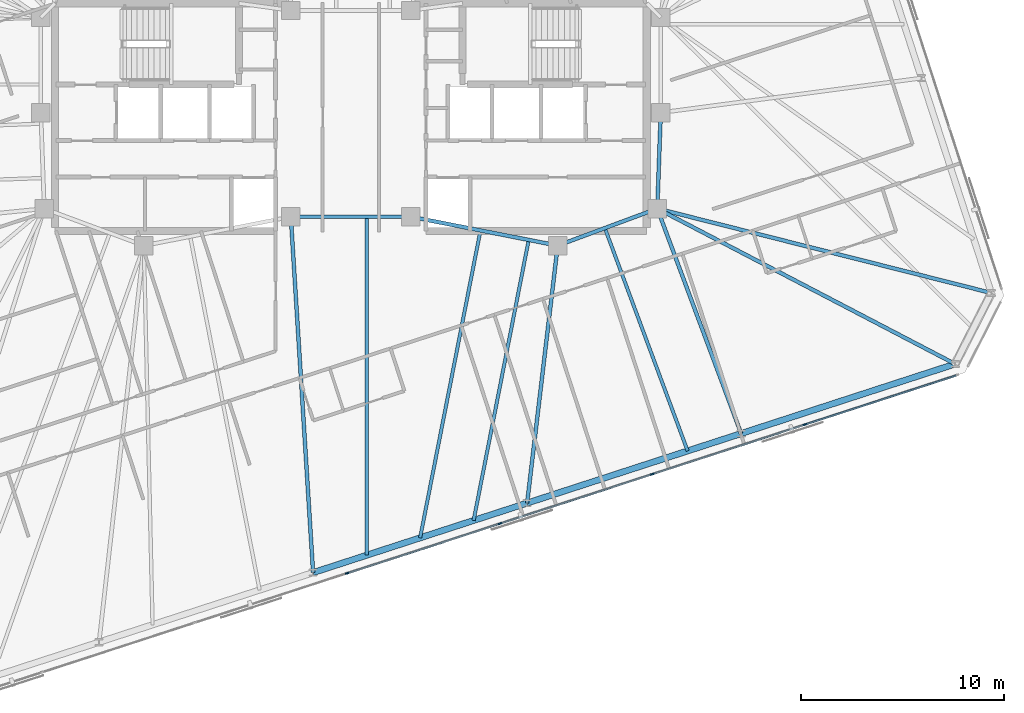
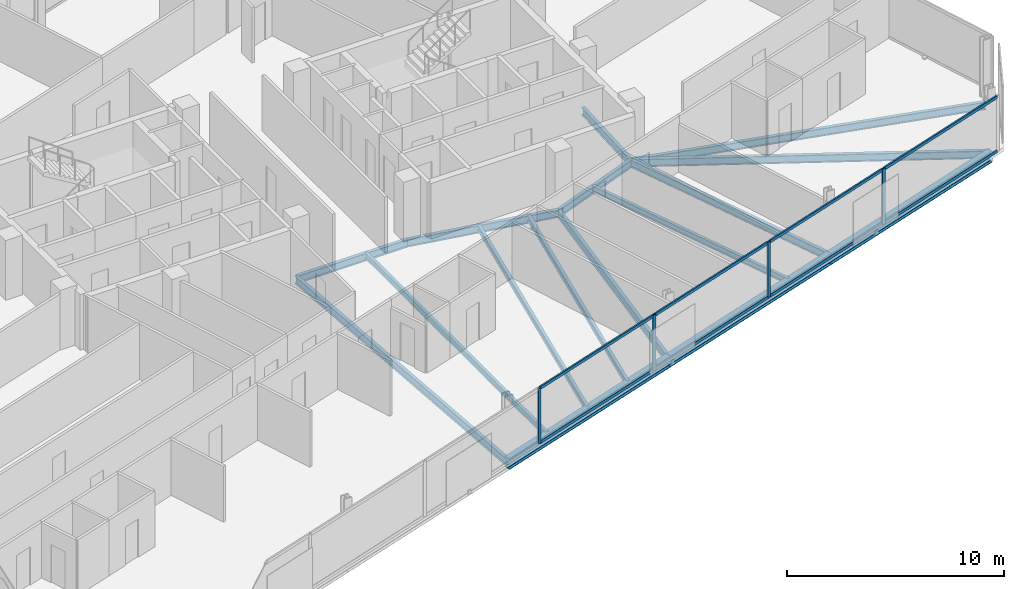
# One storey, part 7 of 19: 16 beams, 12 members, 1 element without a shape of its own.
"""IFC4 building model written with IfcOpenShell, lengths in metres."""

from ifc_helpers import new_model, si_unit, direction, frame, origin, origin_2d, place, context, subcontext, project, spatial, rectangle, i_section, extrude, material, material_profile, profile_set, type_object, element, aggregate, save


model = new_model("IFC4")

# Units and contexts
model_context = context("Model", 3, precision=1e-05, world=origin(), true_north=direction((0.0, 1.0)))
body_context = subcontext(model_context, "Body", "Model", "MODEL_VIEW")
ifc_project = project(units=[si_unit("LENGTHUNIT", "METRE"), si_unit("AREAUNIT", "SQUARE_METRE"), si_unit("VOLUMEUNIT", "CUBIC_METRE"), si_unit("PLANEANGLEUNIT", "RADIAN"), si_unit("MASSUNIT", "GRAM", prefix="KILO")], contexts=[model_context])

# Site, building, storey
site_placement = place(None, origin())
site = spatial("IfcSite", under=ifc_project, at=site_placement, CompositionType="ELEMENT")
building_placement = place(site_placement, origin())
building = spatial("IfcBuilding", under=site, at=building_placement, Name="Menara Jurai Vektor", CompositionType="ELEMENT")
storey_placement = place(building_placement, frame((0.0, 0.0, 234.35009765625)))
storey = spatial("IfcBuildingStorey", under=building, at=storey_placement, Name="L62", CompositionType="ELEMENT", Elevation=234.35009765625)

# Curtain wall, members
ifc_material_1 = material(Name="Anodised Pale Aluminium & Low-E Double Glazing", Category="aluminium")
curtain_wall_type = type_object("IfcCurtainWallType", Name="CW-BLK4", PredefinedType="NOTDEFINED", material=ifc_material_1)
curtain_wall_placement = place(storey_placement, origin())
curtain_wall = element("IfcCurtainWall", 1, at=curtain_wall_placement, inside=storey, type_object=curtain_wall_type, Name="Unitised Curtain Wall L62 F01", PredefinedType="NOTDEFINED")
ifc_material_2 = material(Name="Anodised Pale Aluminium Mullion", Category="aluminium")
ifc_material_profile_1 = material_profile(ifc_material_2, rectangle(XDim=0.080078125, YDim=0.18994140625, at=origin_2d()), Name="ALU MUL 80x190")
ifc_profile_set_1 = profile_set([ifc_material_profile_1], Name="Anodised Pale Aluminium Mullion")
member_type_1 = type_object("IfcMemberType", Name="CW-BLK4-MUL", PredefinedType="MULLION", material=ifc_profile_set_1)
member_1_placement = place(storey_placement, frame((-0.17236328125, -22.4404296875, 0.0), z_axis=(0.0, 0.0, 1.0), x_axis=(-0.309017344167, 0.951056402641, 0.0)))
member_1 = element("IfcMember", 2, at=member_1_placement, type_object=member_type_1, Name="CW-04 mullion 4", PredefinedType="MULLION", context=body_context, shape_type="SweptSolid", body=[
    extrude(rectangle(XDim=0.080078125, YDim=0.18994140625, at=origin_2d()), origin(), (0.0, 0.0, 1.0), 3.125),
])
member_2_placement = place(storey_placement, frame((7.3330078125, -20.001953125, 0.0), z_axis=(0.0, 0.0, 1.0), x_axis=(-0.309017344167, 0.951056402641, 0.0)))
member_2 = element("IfcMember", 3, at=member_2_placement, type_object=member_type_1, Name="CW-04 mullion 5", PredefinedType="MULLION", context=body_context, shape_type="SweptSolid", body=[
    extrude(rectangle(XDim=0.080078125, YDim=0.18994140625, at=origin_2d()), origin(), (0.0, 0.0, 1.0), 3.125),
])
member_3_placement = place(storey_placement, frame((14.838134765625, -17.563232421875, 0.0), z_axis=(0.0, 0.0, 1.0), x_axis=(-0.309017344167, 0.951056402641, 0.0)))
member_3 = element("IfcMember", 4, at=member_3_placement, type_object=member_type_1, Name="CW-04 mullion 6", PredefinedType="MULLION", context=body_context, shape_type="SweptSolid", body=[
    extrude(rectangle(XDim=0.080078125, YDim=0.18994140625, at=origin_2d()), origin(), (0.0, 0.0, 1.0), 3.125),
])
member_4_placement = place(storey_placement, frame((22.34326171875, -15.124755859375, 0.0), z_axis=(0.0, 0.0, 1.0), x_axis=(-0.309017344167, 0.951056402641, 0.0)))
member_4 = element("IfcMember", 5, at=member_4_placement, type_object=member_type_1, Name="CW-04 mullion 7", PredefinedType="MULLION", context=body_context, shape_type="SweptSolid", body=[
    extrude(rectangle(XDim=0.080078125, YDim=0.18994140625, at=origin_2d()), origin(), (0.0, 0.0, 1.0), 3.125),
])
ifc_material_3 = material(Name="Anodised Pale Aluminium Transom", Category="aluminium")
ifc_material_profile_2 = material_profile(ifc_material_3, rectangle(XDim=0.080078125, YDim=0.1650390625, at=origin_2d()), Name="ALU TRN 80x165")
ifc_profile_set_2 = profile_set([ifc_material_profile_2], Name="Anodised Pale Aluminium Transom")
member_type_2 = type_object("IfcMemberType", Name="CW-BLK4-TRN", PredefinedType="USERDEFINED", material=ifc_profile_set_2)
member_5_placement = place(storey_placement, frame((-0.13427734375, -22.427978515625, 0.039794921875), z_axis=(0.951059330237, 0.309008333817, 0.0), x_axis=(-0.309008333817, 0.951059330237, 0.0)))
member_5 = element("IfcMember", 6, at=member_5_placement, type_object=member_type_2, Name="CW-04 transom 4.1", ObjectType="TRANSOM", PredefinedType="USERDEFINED", context=body_context, shape_type="SweptSolid", body=[
    extrude(rectangle(XDim=0.080078125, YDim=0.1650390625, at=origin_2d()), origin(), (0.0, 0.0, 1.0), 7.8115234375),
])
member_6_placement = place(storey_placement, frame((-0.13427734375, -22.427978515625, 3.0849609375), z_axis=(0.951059330237, 0.309008333817, 0.0), x_axis=(-0.309008333817, 0.951059330237, 0.0)))
member_6 = element("IfcMember", 7, at=member_6_placement, type_object=member_type_2, Name="CW-04 transom 4.2", ObjectType="TRANSOM", PredefinedType="USERDEFINED", context=body_context, shape_type="SweptSolid", body=[
    extrude(rectangle(XDim=0.080078125, YDim=0.1650390625, at=origin_2d()), origin(), (0.0, 0.0, 1.0), 7.8115234375),
])
member_7_placement = place(storey_placement, frame((7.37109375, -19.989501953125, 0.039794921875), z_axis=(0.95105634578, 0.309017519167, 0.0), x_axis=(-0.309017519167, 0.95105634578, 0.0)))
member_7 = element("IfcMember", 8, at=member_7_placement, type_object=member_type_2, Name="CW-04 transom 5.1", ObjectType="TRANSOM", PredefinedType="USERDEFINED", context=body_context, shape_type="SweptSolid", body=[
    extrude(rectangle(XDim=0.080078125, YDim=0.1650390625, at=origin_2d()), origin(), (0.0, 0.0, 1.0), 7.811279296875),
])
member_8_placement = place(storey_placement, frame((7.37109375, -19.989501953125, 3.0849609375), z_axis=(0.95105634578, 0.309017519167, 0.0), x_axis=(-0.309017519167, 0.95105634578, 0.0)))
member_8 = element("IfcMember", 9, at=member_8_placement, type_object=member_type_2, Name="CW-04 transom 5.2", ObjectType="TRANSOM", PredefinedType="USERDEFINED", context=body_context, shape_type="SweptSolid", body=[
    extrude(rectangle(XDim=0.080078125, YDim=0.1650390625, at=origin_2d()), origin(), (0.0, 0.0, 1.0), 7.811279296875),
])
member_9_placement = place(storey_placement, frame((14.876220703125, -17.551025390625, 0.039794921875), z_axis=(0.95104715984, 0.309045789099, 0.0), x_axis=(-0.309045789099, 0.95104715984, 0.0)))
member_9 = element("IfcMember", 10, at=member_9_placement, type_object=member_type_2, Name="CW-04 transom 6.1", ObjectType="TRANSOM", PredefinedType="USERDEFINED", context=body_context, shape_type="SweptSolid", body=[
    extrude(rectangle(XDim=0.080078125, YDim=0.1650390625, at=origin_2d()), origin(), (0.0, 0.0, 1.0), 7.811279296875),
])
member_10_placement = place(storey_placement, frame((14.876220703125, -17.551025390625, 3.0849609375), z_axis=(0.95104715984, 0.309045789099, 0.0), x_axis=(-0.309045789099, 0.95104715984, 0.0)))
member_10 = element("IfcMember", 11, at=member_10_placement, type_object=member_type_2, Name="CW-04 transom 6.2", ObjectType="TRANSOM", PredefinedType="USERDEFINED", context=body_context, shape_type="SweptSolid", body=[
    extrude(rectangle(XDim=0.080078125, YDim=0.1650390625, at=origin_2d()), origin(), (0.0, 0.0, 1.0), 7.811279296875),
])
member_11_placement = place(storey_placement, frame((22.38134765625, -15.1123046875, 0.039794921875), z_axis=(0.951062230089, 0.308999408573, 0.0), x_axis=(-0.308999408573, 0.951062230089, 0.0)))
member_11 = element("IfcMember", 12, at=member_11_placement, type_object=member_type_2, Name="CW-04 transom 7.1", ObjectType="TRANSOM", PredefinedType="USERDEFINED", context=body_context, shape_type="SweptSolid", body=[
    extrude(rectangle(XDim=0.080078125, YDim=0.1650390625, at=origin_2d()), origin(), (0.0, 0.0, 1.0), 7.771484375),
])
member_12_placement = place(storey_placement, frame((22.38134765625, -15.1123046875, 3.0849609375), z_axis=(0.951062230089, 0.308999408573, 0.0), x_axis=(-0.308999408573, 0.951062230089, 0.0)))
member_12 = element("IfcMember", 13, at=member_12_placement, type_object=member_type_2, Name="CW-04 transom 7.2", ObjectType="TRANSOM", PredefinedType="USERDEFINED", context=body_context, shape_type="SweptSolid", body=[
    extrude(rectangle(XDim=0.080078125, YDim=0.1650390625, at=origin_2d()), origin(), (0.0, 0.0, 1.0), 7.771484375),
])
aggregate(curtain_wall, [member_1, member_2, member_3, member_4, member_5, member_6, member_7, member_8, member_9, member_10, member_11, member_12])

# Beams
ifc_material_4 = material(Name="Steel S355", Category="steel")
ifc_material_profile_3 = material_profile(ifc_material_4, i_section(OverallWidth=0.18505859375, OverallDepth=0.429931640625, WebThickness=0.010986328125, FlangeThickness=0.01806640625, at=origin_2d()), Name="PG 430x185x76")
ifc_profile_set_3 = profile_set([ifc_material_profile_3], Name="Steel S355")
beam_type_1 = type_object("IfcBeamType", Name="STR-BM-430", PredefinedType="BEAM", material=ifc_profile_set_3)
beam_1_placement = place(storey_placement, frame((15.080078125, -4.5, -0.440185546875), z_axis=(0.035977314146, 0.999352606874, 0.0), x_axis=(-0.999352606874, 0.035977314146, 0.0)))
element("IfcBeam", 14, at=beam_1_placement, inside=storey, type_object=beam_type_1, Name="Core Ring Header Girder L62-CHE-E2", PredefinedType="BEAM", context=body_context, shape_type="SweptSolid", body=[
    extrude(i_section(OverallWidth=0.18505859375, OverallDepth=0.429931640625, WebThickness=0.010986328125, FlangeThickness=0.01806640625, at=origin_2d()), origin(), (0.0, 0.0, 1.0), 4.72314453125),
])
beam_2_placement = place(storey_placement, frame((10.179931640625, -6.320068359375, -0.440185546875), z_axis=(0.937424400887, 0.348188874925, 0.0), x_axis=(-0.348188874925, 0.937424400887, 0.0)))
element("IfcBeam", 15, at=beam_2_placement, inside=storey, type_object=beam_type_1, Name="Core Ring Header Girder L62-CHE-S1", PredefinedType="BEAM", context=body_context, shape_type="SweptSolid", body=[
    extrude(i_section(OverallWidth=0.18505859375, OverallDepth=0.429931640625, WebThickness=0.010986328125, FlangeThickness=0.01806640625, at=origin_2d()), origin(), (0.0, 0.0, 1.0), 5.227294921875),
])
beam_3_placement = place(storey_placement, frame((2.949951171875, -4.89990234375, -0.440185546875), z_axis=(0.981249044334, -0.192744164614, 0.0), x_axis=(0.192744164614, 0.981249044334, 0.0)))
element("IfcBeam", 16, at=beam_3_placement, inside=storey, type_object=beam_type_1, Name="Core Ring Header Girder L62-CHE-S2", PredefinedType="BEAM", context=body_context, shape_type="SweptSolid", body=[
    extrude(i_section(OverallWidth=0.18505859375, OverallDepth=0.429931640625, WebThickness=0.010986328125, FlangeThickness=0.01806640625, at=origin_2d()), origin(), (0.0, 0.0, 1.0), 7.3681640625),
])
beam_4_placement = place(storey_placement, frame((-2.949951171875, -4.89990234375, -0.440185546875), z_axis=(1.0, 0.0, 0.0), x_axis=(0.0, 1.0, 0.0)))
element("IfcBeam", 17, at=beam_4_placement, inside=storey, type_object=beam_type_1, Name="Core Ring Header Girder L62-CC-1", PredefinedType="BEAM", context=body_context, shape_type="SweptSolid", body=[
    extrude(i_section(OverallWidth=0.18505859375, OverallDepth=0.429931640625, WebThickness=0.010986328125, FlangeThickness=0.01806640625, at=origin_2d()), origin(), (0.0, 0.0, 1.0), 5.89990234375),
])
beam_5_placement = place(storey_placement, frame((-1.854248046875, -22.40869140625, -0.440185546875), z_axis=(-0.062457995419, 0.998047593458, 0.0), x_axis=(-0.998047593458, -0.062457995419, 0.0)))
element("IfcBeam", 18, at=beam_5_placement, inside=storey, type_object=beam_type_1, Name="Radial Floor Girder L62-S3", PredefinedType="BEAM", context=body_context, shape_type="SweptSolid", body=[
    extrude(i_section(OverallWidth=0.18505859375, OverallDepth=0.429931640625, WebThickness=0.010986328125, FlangeThickness=0.01806640625, at=origin_2d()), origin(), (0.0, 0.0, 1.0), 17.54296875),
])
beam_6_placement = place(storey_placement, frame((8.675048828125, -18.987548828125, -0.440185546875), z_axis=(0.117969360513, 0.99301723549, 0.0), x_axis=(-0.99301723549, 0.117969360513, 0.0)))
element("IfcBeam", 19, at=beam_6_placement, inside=storey, type_object=beam_type_1, Name="Radial Floor Girder L62-S4", PredefinedType="BEAM", context=body_context, shape_type="SweptSolid", body=[
    extrude(i_section(OverallWidth=0.18505859375, OverallDepth=0.429931640625, WebThickness=0.010986328125, FlangeThickness=0.01806640625, at=origin_2d()), origin(), (0.0, 0.0, 1.0), 12.756591796875),
])
beam_7_placement = place(storey_placement, frame((19.204345703125, -15.56640625, -0.440185546875), z_axis=(-0.349219718154, 0.93704086808, 0.0), x_axis=(-0.93704086808, -0.349219718154, 0.0)))
element("IfcBeam", 20, at=beam_7_placement, inside=storey, type_object=beam_type_1, Name="Radial Floor Girder L62-S5", PredefinedType="BEAM", context=body_context, shape_type="SweptSolid", body=[
    extrude(i_section(OverallWidth=0.18505859375, OverallDepth=0.429931640625, WebThickness=0.010986328125, FlangeThickness=0.01806640625, at=origin_2d()), origin(), (0.0, 0.0, 1.0), 11.81005859375),
])
beam_8_placement = place(storey_placement, frame((29.7333984375, -12.14501953125, -0.440185546875), z_axis=(-0.886589587068, 0.462556919851, 0.0), x_axis=(-0.462556919851, -0.886589587068, 0.0)))
element("IfcBeam", 21, at=beam_8_placement, inside=storey, type_object=beam_type_1, Name="Radial Floor Girder L62-S6", PredefinedType="BEAM", context=body_context, shape_type="SweptSolid", body=[
    extrude(i_section(OverallWidth=0.18505859375, OverallDepth=0.429931640625, WebThickness=0.010986328125, FlangeThickness=0.01806640625, at=origin_2d()), origin(), (0.0, 0.0, 1.0), 16.52783203125),
])
beam_9_placement = place(storey_placement, frame((31.513427734375, -8.652099609375, -0.440185546875), z_axis=(-0.969531956771, 0.244964864418, 0.0), x_axis=(-0.244964864418, -0.969531956771, 0.0)))
element("IfcBeam", 22, at=beam_9_placement, inside=storey, type_object=beam_type_1, Name="Radial Floor Girder L62-E1", PredefinedType="BEAM", context=body_context, shape_type="SweptSolid", body=[
    extrude(i_section(OverallWidth=0.18505859375, OverallDepth=0.429931640625, WebThickness=0.010986328125, FlangeThickness=0.01806640625, at=origin_2d()), origin(), (0.0, 0.0, 1.0), 16.94970703125),
])
ifc_material_profile_4 = material_profile(ifc_material_4, i_section(OverallWidth=0.1650390625, OverallDepth=0.330078125, WebThickness=0.009033203125, FlangeThickness=0.013916015625, at=origin_2d()), Name="PG 330x165x46")
ifc_profile_set_4 = profile_set([ifc_material_profile_4], Name="Steel S355")
beam_type_2 = type_object("IfcBeamType", Name="STR-JS-330", PredefinedType="JOIST", material=ifc_profile_set_4)
beam_10_placement = place(storey_placement, frame((0.778076171875, -21.55322265625, -0.39013671875), z_axis=(0.0, 1.0, 0.0), x_axis=(-1.0, 0.0, 0.0)))
element("IfcBeam", 23, at=beam_10_placement, inside=storey, type_object=beam_type_2, Name="Radial Secondary Floor Joist L62-JS05", PredefinedType="JOIST", context=body_context, shape_type="SweptSolid", body=[
    extrude(i_section(OverallWidth=0.1650390625, OverallDepth=0.330078125, WebThickness=0.009033203125, FlangeThickness=0.013916015625, at=origin_2d()), origin(), (0.0, 0.0, 1.0), 16.6533203125),
])
beam_11_placement = place(storey_placement, frame((3.410400390625, -20.697998046875, -0.39013671875), z_axis=(0.192721610081, 0.981253474393, 0.0), x_axis=(-0.981253474393, 0.192721610081, 0.0)))
element("IfcBeam", 24, at=beam_11_placement, inside=storey, type_object=beam_type_2, Name="Radial Secondary Floor Joist L62-JS06", PredefinedType="JOIST", context=body_context, shape_type="SweptSolid", body=[
    extrude(i_section(OverallWidth=0.1650390625, OverallDepth=0.330078125, WebThickness=0.009033203125, FlangeThickness=0.013916015625, at=origin_2d()), origin(), (0.0, 0.0, 1.0), 15.413330078125),
])
beam_12_placement = place(storey_placement, frame((6.042724609375, -19.8427734375, -0.39013671875), z_axis=(0.192720535629, 0.981253685418, 0.0), x_axis=(-0.981253685418, 0.192720535629, 0.0)))
element("IfcBeam", 25, at=beam_12_placement, inside=storey, type_object=beam_type_2, Name="Radial Secondary Floor Joist L62-JS07", PredefinedType="JOIST", context=body_context, shape_type="SweptSolid", body=[
    extrude(i_section(OverallWidth=0.1650390625, OverallDepth=0.330078125, WebThickness=0.009033203125, FlangeThickness=0.013916015625, at=origin_2d()), origin(), (0.0, 0.0, 1.0), 14.066650390625),
])
beam_13_placement = place(storey_placement, frame((16.572021484375, -16.421630859375, -0.39013671875), z_axis=(-0.348179715909, 0.937427802782, 0.0), x_axis=(-0.937427802782, -0.348179715909, 0.0)))
element("IfcBeam", 26, at=beam_13_placement, inside=storey, type_object=beam_type_2, Name="Radial Secondary Floor Joist L62-JS08", PredefinedType="JOIST", context=body_context, shape_type="SweptSolid", body=[
    extrude(i_section(OverallWidth=0.1650390625, OverallDepth=0.330078125, WebThickness=0.009033203125, FlangeThickness=0.013916015625, at=origin_2d()), origin(), (0.0, 0.0, 1.0), 11.695068359375),
])
ifc_material_profile_5 = material_profile(ifc_material_4, i_section(OverallWidth=0.306884765625, OverallDepth=0.6201171875, WebThickness=0.013916015625, FlangeThickness=0.02392578125, FilletRadius=0.01708984375, at=origin_2d()), Name="UKB 610x305x179")
ifc_profile_set_5 = profile_set([ifc_material_profile_5], Name="Steel S355")
beam_type_3 = type_object("IfcBeamType", Name="STR-SP-610", PredefinedType="SPANDREL", material=ifc_profile_set_5)
for number, where, z_axis, x_axis, name in (
    (27, (-1.854248046875, -22.40869140625, -0.53515625), (0.951057401967, 0.309014268544, 0.0), (-0.309014268544, 0.951057401967, 0.0), "Exoskeleton Spandrel Beam L62-03"),
    (28, (8.675048828125, -18.987548828125, -0.53515625), (0.951057401967, 0.309014268544, 0.0), (-0.309014268544, 0.951057401967, 0.0), "Exoskeleton Spandrel Beam L62-04"),
    (29, (19.204345703125, -15.56640625, -0.53515625), (0.951048814879, 0.309040695892, 0.0), (-0.309040695892, 0.951048814879, 0.0), "Exoskeleton Spandrel Beam L62-05"),
):
    element("IfcBeam", number, at=place(storey_placement, frame(where, z_axis=z_axis, x_axis=x_axis)), inside=storey, type_object=beam_type_3, Name=name, PredefinedType="SPANDREL", context=body_context, shape_type="SweptSolid", body=[
        extrude(i_section(OverallWidth=0.306884765625, OverallDepth=0.6201171875, WebThickness=0.013916015625, FlangeThickness=0.02392578125, FilletRadius=0.01708984375, at=origin_2d()), origin(), (0.0, 0.0, 1.0), 11.071044921875),
    ])

save(model, "model.ifc")
